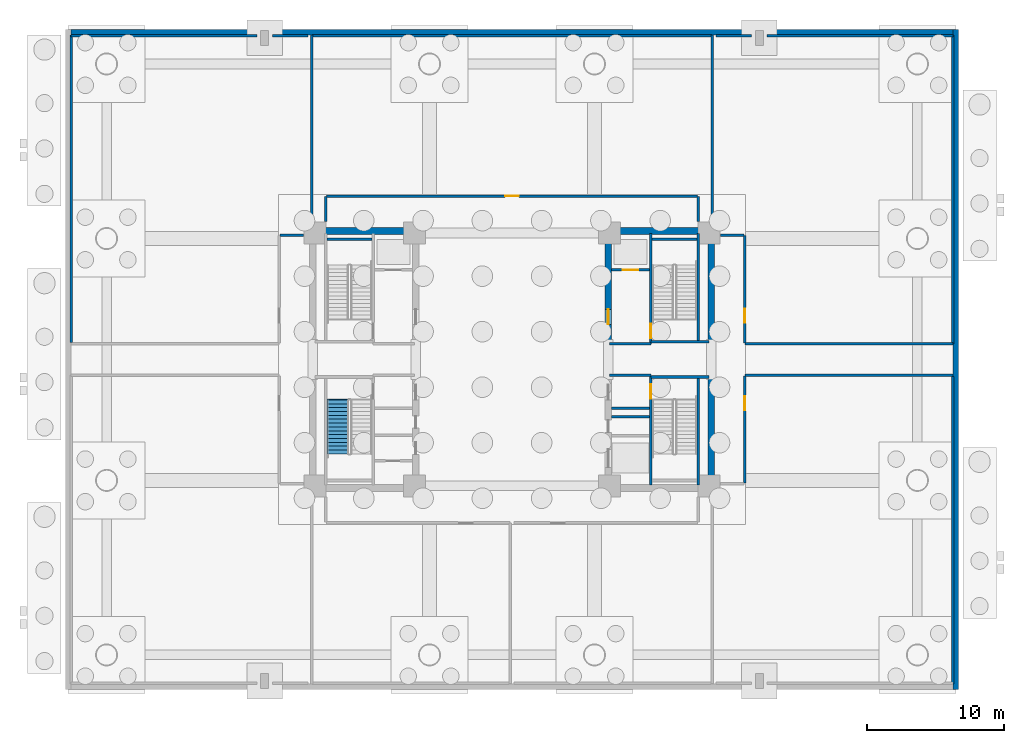
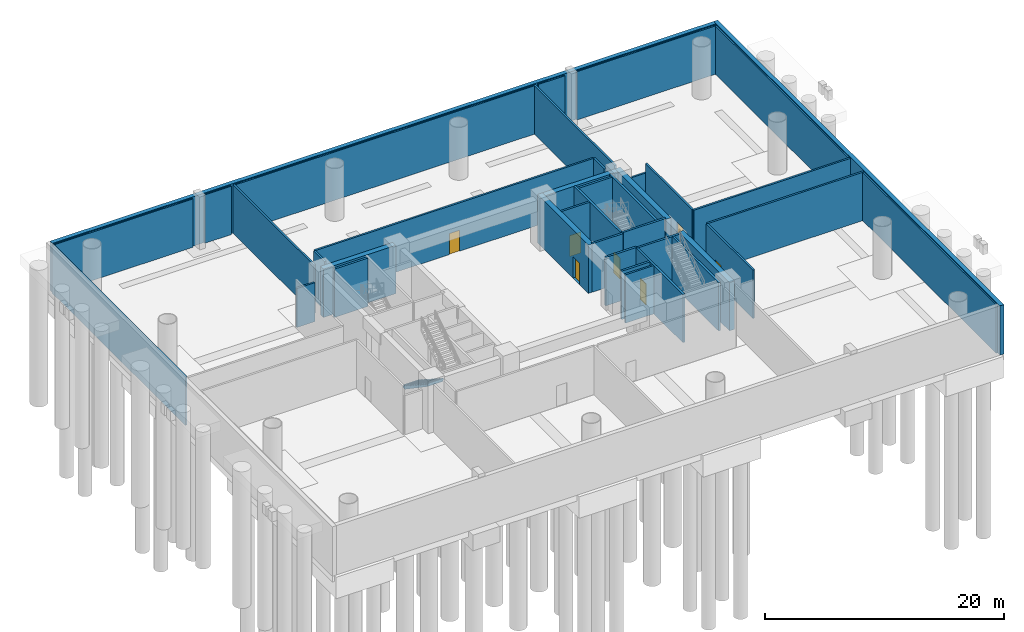
# One storey, part 4 of 7: 39 walls, 7 doors, 1 stair flight, 7 openings, 1 element without a shape of its own.
"""IFC4 building model written with IfcOpenShell, lengths in metres."""

from ifc_helpers import new_model, si_unit, direction, frame, frame_2d, origin, place, context, subcontext, project, spatial, polyline, rectangle, outline, extrude, source, transform, mapped, material, layer, layer_set, type_object, element, fill, aggregate, save


model = new_model("IFC4")

# Units and contexts
model_context = context("Model", 3, precision=1e-05, world=origin(), true_north=direction((0.0, 1.0)))
body_context = subcontext(model_context, "Body", "Model", "MODEL_VIEW")
ifc_project = project(units=[si_unit("LENGTHUNIT", "METRE"), si_unit("AREAUNIT", "SQUARE_METRE"), si_unit("VOLUMEUNIT", "CUBIC_METRE"), si_unit("PLANEANGLEUNIT", "RADIAN"), si_unit("MASSUNIT", "GRAM", prefix="KILO")], contexts=[model_context])

# Site, building, storey
site_placement = place(None, origin())
site = spatial("IfcSite", under=ifc_project, at=site_placement, CompositionType="ELEMENT")
building_placement = place(site_placement, origin())
building = spatial("IfcBuilding", under=site, at=building_placement, Name="Zahravan Cultural Tower", CompositionType="ELEMENT")
storey_placement = place(building_placement, frame((0.0, 0.0, -5.39990234375)))
storey = spatial("IfcBuildingStorey", under=building, at=storey_placement, Name="B1", CompositionType="ELEMENT", Elevation=-5.39990234375)

# Wall, opening, door
ifc_material_1 = material(Name="Concrete C60/75", Category="concrete")
ifc_layer_1 = layer(ifc_material_1, 0.5)
ifc_layer_set_1 = layer_set([ifc_layer_1], Name="Concrete C60/75")
wall_type_1 = type_object("IfcWallType", Name="CW-SHEAR-500-C60", PredefinedType="SHEAR", material=ifc_layer_set_1)
wall_1_placement = place(storey_placement, frame((43.0, 28.050048828125, 0.0), z_axis=(0.0, 0.0, 1.0), x_axis=(0.0, 1.0, 0.0)))
wall_1 = element("IfcWall", 1, at=wall_1_placement, inside=storey, type_object=wall_type_1, Name="B1 Core Shear Wall CW-E-WN-B1", PredefinedType="SHEAR", context=body_context, shape_type="SweptSolid", body=[
    extrude(rectangle(XDim=8.550048828125, YDim=0.5, at=frame_2d((4.27490234375, 0.0))), origin(), (0.0, 0.0, 1.0), 4.949951171875),
])
opening_1_placement = place(wall_1_placement, frame((1.5, 0.0, 0.0)))
opening_1 = element("IfcOpeningElement", 2, at=opening_1_placement, cuts=wall_1, Name="Opening D-B1-06", PredefinedType="OPENING", context=body_context, shape_type="SweptSolid", body=[
    extrude(rectangle(XDim=1.10009765625, YDim=2.199951171875, at=frame_2d((0.550048828125, 1.10009765625))), frame((0.0, 0.260009765625, 0.0), z_axis=(0.0, -1.0, 0.0), x_axis=(1.0, 0.0, 0.0)), (0.0, 0.0, 1.0), 0.52001953125),
])
ifc_material_2 = material(Name="Steel ASTM A572 Grade 50", Category="steel")
door_type_1 = type_object("IfcDoorType", Name="DR-LOBBY-1100", OperationType="NOTDEFINED", PredefinedType="DOOR", material=ifc_material_2)
shared_shape_1 = source(origin(), body_context, "Body", "SweptSolid", [
    extrude(rectangle(XDim=1.10009765625, YDim=2.199951171875, at=frame_2d((0.550048828125, 1.10009765625))), frame((0.0, 0.02490234375, 0.0), z_axis=(0.0, -1.0, 0.0), x_axis=(1.0, 0.0, 0.0)), (0.0, 0.0, 1.0), 0.050048828125),
])
door_1_placement = place(opening_1_placement, origin())
door_1 = element("IfcDoor", 3, at=door_1_placement, inside=storey, type_object=door_type_1, Name="B1 Door D-B1-06", OperationType="SINGLE_SWING_LEFT", OverallHeight=2.199951171875, OverallWidth=1.10009765625, PredefinedType="DOOR", context=body_context, shape_type="MappedRepresentation", body=[
    mapped(shared_shape_1, transform((0.0, 0.0, 0.0), x_axis=(1.0, 0.0, 0.0), y_axis=(0.0, 1.0, 0.0), z_axis=(0.0, 0.0, 1.0), scale=1.0)),
])
fill(opening_1, door_1)

ifc_material_3 = material(Name="Gypsum plasterboard partition")
ifc_layer_2 = layer(ifc_material_3, 0.179931640625)
ifc_layer_set_2 = layer_set([ifc_layer_2], Name="Gypsum plasterboard partition")
wall_type_2 = type_object("IfcWallType", Name="W-COMP-180", PredefinedType="PARTITIONING", material=ifc_layer_set_2)
wall_2_placement = place(storey_placement, frame((49.494140625, 38.889892578125, 0.0), z_axis=(0.0, 0.0, 1.0), x_axis=(-0.999999999836, -1.8087762e-05, 0.0)))
wall_2 = element("IfcWall", 4, at=wall_2_placement, inside=storey, type_object=wall_type_2, Name="B1 Interior Wall 041", PredefinedType="PARTITIONING", context=body_context, shape_type="SweptSolid", body=[
    extrude(rectangle(XDim=26.9951171875, YDim=0.179931640625, at=frame_2d((13.49755859375, 0.0))), origin(), (0.0, 0.0, 1.0), 4.949951171875),
])
opening_2_placement = place(wall_2_placement, frame((12.99755859375, 0.0, 0.0)))
opening_2 = element("IfcOpeningElement", 5, at=opening_2_placement, cuts=wall_2, Name="Opening D-B1-19", PredefinedType="OPENING", context=body_context, shape_type="SweptSolid", body=[
    extrude(rectangle(XDim=1.0, YDim=2.14990234375, at=frame_2d((0.5, 1.074951171875))), frame((0.0, 0.099853515625, 0.0), z_axis=(0.0, -1.0, 0.0), x_axis=(1.0, 0.0, 0.0)), (0.0, 0.0, 1.0), 0.199951171875),
])
door_type_2 = type_object("IfcDoorType", Name="DR-COMP-1000", OperationType="NOTDEFINED", PredefinedType="DOOR", material=ifc_material_2)
shared_shape_2 = source(origin(), body_context, "Body", "SweptSolid", [
    extrude(rectangle(XDim=1.0, YDim=2.14990234375, at=frame_2d((0.5, 1.074951171875))), frame((0.0, 0.02490234375, 0.0), z_axis=(0.0, -1.0, 0.0), x_axis=(1.0, 0.0, 0.0)), (0.0, 0.0, 1.0), 0.050048828125),
])
door_2_placement = place(opening_2_placement, origin())
door_2 = element("IfcDoor", 6, at=door_2_placement, inside=storey, type_object=door_type_2, Name="B1 Door D-B1-19", OperationType="SINGLE_SWING_RIGHT", OverallHeight=2.14990234375, OverallWidth=1.0, PredefinedType="DOOR", context=body_context, shape_type="MappedRepresentation", body=[
    mapped(shared_shape_2, transform((0.0, 0.0, 0.0), x_axis=(1.0, 0.0, 0.0), y_axis=(0.0, 1.0, 0.0), z_axis=(0.0, 0.0, 1.0), scale=1.0)),
])
fill(opening_2, door_2)

wall_3_placement = place(storey_placement, frame((52.93798828125, 17.992431640625, 0.0), z_axis=(0.0, 0.0, 1.0), x_axis=(0.00025015634, 0.999999968711, 0.0)))
wall_3 = element("IfcWall", 7, at=wall_3_placement, inside=storey, type_object=wall_type_2, Name="B1 Interior Wall 061", PredefinedType="PARTITIONING", context=body_context, shape_type="SweptSolid", body=[
    extrude(rectangle(XDim=7.8076171875, YDim=0.179931640625, at=frame_2d((3.90380859375, 0.0))), origin(), (0.0, 0.0, 1.0), 4.949951171875),
])
opening_3_placement = place(wall_3_placement, frame((5.323974609375, 0.0, 0.0)))
opening_3 = element("IfcOpeningElement", 8, at=opening_3_placement, cuts=wall_3, Name="Opening D-B1-15", PredefinedType="OPENING", context=body_context, shape_type="SweptSolid", body=[
    extrude(rectangle(XDim=1.0, YDim=2.14990234375, at=frame_2d((0.5, 1.074951171875))), frame((0.0, 0.099853515625, 0.0), z_axis=(0.0, -1.0, 0.0), x_axis=(1.0, 0.0, 0.0)), (0.0, 0.0, 1.0), 0.199951171875),
])
door_3_placement = place(opening_3_placement, origin())
door_3 = element("IfcDoor", 9, at=door_3_placement, inside=storey, type_object=door_type_2, Name="B1 Door D-B1-15", OperationType="SINGLE_SWING_RIGHT", OverallHeight=2.14990234375, OverallWidth=1.0, PredefinedType="DOOR", context=body_context, shape_type="MappedRepresentation", body=[
    mapped(shared_shape_2, transform((0.0, 0.0, 0.0), x_axis=(1.0, 0.0, 0.0), y_axis=(0.0, 1.0, 0.0), z_axis=(0.0, 0.0, 1.0), scale=1.0)),
])
fill(opening_3, door_3)

wall_4_placement = place(storey_placement, frame((52.93994140625, 28.199951171875, 0.0), z_axis=(0.0, 0.0, 1.0), x_axis=(-0.00025015634, 0.999999968711, 0.0)))
wall_4 = element("IfcWall", 10, at=wall_4_placement, inside=storey, type_object=wall_type_2, Name="B1 Interior Wall 066", PredefinedType="PARTITIONING", context=body_context, shape_type="SweptSolid", body=[
    extrude(rectangle(XDim=7.8076171875, YDim=0.179931640625, at=frame_2d((3.90380859375, 0.0))), origin(), (0.0, 0.0, 1.0), 4.949951171875),
])
opening_4_placement = place(wall_4_placement, frame((1.483642578125, 0.0, 0.0)))
opening_4 = element("IfcOpeningElement", 11, at=opening_4_placement, cuts=wall_4, Name="Opening D-B1-18", PredefinedType="OPENING", context=body_context, shape_type="SweptSolid", body=[
    extrude(rectangle(XDim=1.0, YDim=2.14990234375, at=frame_2d((0.5, 1.074951171875))), frame((0.0, 0.099853515625, 0.0), z_axis=(0.0, -1.0, 0.0), x_axis=(1.0, 0.0, 0.0)), (0.0, 0.0, 1.0), 0.199951171875),
])
door_4_placement = place(opening_4_placement, origin())
door_4 = element("IfcDoor", 12, at=door_4_placement, inside=storey, type_object=door_type_2, Name="B1 Door D-B1-18", OperationType="SINGLE_SWING_LEFT", OverallHeight=2.14990234375, OverallWidth=1.0, PredefinedType="DOOR", context=body_context, shape_type="MappedRepresentation", body=[
    mapped(shared_shape_2, transform((0.0, 0.0, 0.0), x_axis=(1.0, 0.0, 0.0), y_axis=(0.0, 1.0, 0.0), z_axis=(0.0, 0.0, 1.0), scale=1.0)),
])
fill(opening_4, door_4)

ifc_material_4 = material(Name="Concrete C45/55", Category="concrete")
ifc_layer_3 = layer(ifc_material_4, 0.199951171875)
ifc_layer_set_3 = layer_set([ifc_layer_3], Name="Concrete C45/55")
wall_type_3 = type_object("IfcWallType", Name="W-SHAFT-200", PredefinedType="SOLIDWALL", material=ifc_layer_set_3)
wall_5_placement = place(storey_placement, frame((46.10009765625, 17.85009765625, 0.0), z_axis=(0.0, 0.0, 1.0), x_axis=(0.0, 1.0, 0.0)))
wall_5 = element("IfcWall", 13, at=wall_5_placement, inside=storey, type_object=wall_type_3, Name="B1 Interior Wall 007", PredefinedType="SOLIDWALL", context=body_context, shape_type="SweptSolid", body=[
    extrude(rectangle(XDim=8.0, YDim=0.199951171875, at=frame_2d((4.0, 0.0))), origin(), (0.0, 0.0, 1.0), 4.949951171875),
])
opening_5_placement = place(wall_5_placement, frame((6.300048828125, 0.0, 0.0)))
opening_5 = element("IfcOpeningElement", 14, at=opening_5_placement, cuts=wall_5, Name="Opening D-B1-03", PredefinedType="OPENING", context=body_context, shape_type="SweptSolid", body=[
    extrude(rectangle(XDim=1.050048828125, YDim=2.14990234375, at=frame_2d((0.52490234375, 1.074951171875))), frame((0.0, 0.10986328125, 0.0), z_axis=(0.0, -1.0, 0.0), x_axis=(1.0, 0.0, 0.0)), (0.0, 0.0, 1.0), 0.219970703125),
])
door_type_3 = type_object("IfcDoorType", Name="DR-STAIR-1050", OperationType="NOTDEFINED", PredefinedType="DOOR", material=ifc_material_2)
shared_shape_3 = source(origin(), body_context, "Body", "SweptSolid", [
    extrude(rectangle(XDim=1.050048828125, YDim=2.14990234375, at=frame_2d((0.52490234375, 1.074951171875))), frame((0.0, 0.02490234375, 0.0), z_axis=(0.0, -1.0, 0.0), x_axis=(1.0, 0.0, 0.0)), (0.0, 0.0, 1.0), 0.050048828125),
])
door_5_placement = place(opening_5_placement, origin())
door_5 = element("IfcDoor", 15, at=door_5_placement, inside=storey, type_object=door_type_3, Name="B1 Door D-B1-03", OperationType="SINGLE_SWING_RIGHT", OverallHeight=2.14990234375, OverallWidth=1.050048828125, PredefinedType="DOOR", context=body_context, shape_type="MappedRepresentation", body=[
    mapped(shared_shape_3, transform((0.0, 0.0, 0.0), x_axis=(1.0, 0.0, 0.0), y_axis=(0.0, 1.0, 0.0), z_axis=(0.0, 0.0, 1.0), scale=1.0)),
])
fill(opening_5, door_5)

wall_6_placement = place(storey_placement, frame((46.10009765625, 28.14990234375, 0.0), z_axis=(0.0, 0.0, 1.0), x_axis=(0.0, 1.0, 0.0)))
wall_6 = element("IfcWall", 16, at=wall_6_placement, inside=storey, type_object=wall_type_3, Name="B1 Interior Wall 008", PredefinedType="SOLIDWALL", context=body_context, shape_type="SweptSolid", body=[
    extrude(rectangle(XDim=8.0, YDim=0.199951171875, at=frame_2d((4.0, 0.0))), origin(), (0.0, 0.0, 1.0), 4.949951171875),
])
opening_6_placement = place(wall_6_placement, frame((0.39990234375, 0.0, 0.0)))
opening_6 = element("IfcOpeningElement", 17, at=opening_6_placement, cuts=wall_6, Name="Opening D-B1-02", PredefinedType="OPENING", context=body_context, shape_type="SweptSolid", body=[
    extrude(rectangle(XDim=1.050048828125, YDim=2.14990234375, at=frame_2d((0.52490234375, 1.074951171875))), frame((0.0, 0.10986328125, 0.0), z_axis=(0.0, -1.0, 0.0), x_axis=(1.0, 0.0, 0.0)), (0.0, 0.0, 1.0), 0.219970703125),
])
door_6_placement = place(opening_6_placement, origin())
door_6 = element("IfcDoor", 18, at=door_6_placement, inside=storey, type_object=door_type_3, Name="B1 Door D-B1-02", OperationType="SINGLE_SWING_LEFT", OverallHeight=2.14990234375, OverallWidth=1.050048828125, PredefinedType="DOOR", context=body_context, shape_type="MappedRepresentation", body=[
    mapped(shared_shape_3, transform((0.0, 0.0, 0.0), x_axis=(1.0, 0.0, 0.0), y_axis=(0.0, 1.0, 0.0), z_axis=(0.0, 0.0, 1.0), scale=1.0)),
])
fill(opening_6, door_6)

wall_7_placement = place(storey_placement, frame((43.25, 33.52001953125, 0.0), z_axis=(0.0, 0.0, 1.0), x_axis=(1.0, 0.0, 0.0)))
wall_7 = element("IfcWall", 19, at=wall_7_placement, inside=storey, type_object=wall_type_3, Name="B1 Interior Wall 022", PredefinedType="SOLIDWALL", context=body_context, shape_type="SweptSolid", body=[
    extrude(rectangle(XDim=2.75, YDim=0.199951171875, at=frame_2d((1.375, 0.0))), origin(), (0.0, 0.0, 1.0), 4.949951171875),
])
opening_7_placement = place(wall_7_placement, frame((0.820068359375, 0.0, 0.0)))
opening_7 = element("IfcOpeningElement", 20, at=opening_7_placement, cuts=wall_7, Name="Opening LD-B1-02", PredefinedType="OPENING", context=body_context, shape_type="SweptSolid", body=[
    extrude(rectangle(XDim=1.10009765625, YDim=2.14990234375, at=frame_2d((0.550048828125, 1.074951171875))), frame((0.0, 0.10986328125, 0.0), z_axis=(0.0, -1.0, 0.0), x_axis=(1.0, 0.0, 0.0)), (0.0, 0.0, 1.0), 0.219970703125),
])
door_type_4 = type_object("IfcDoorType", Name="DR-LIFT-1100", OperationType="DOUBLE_DOOR_SLIDING", PredefinedType="DOOR", material=ifc_material_2)
shared_shape_4 = source(origin(), body_context, "Body", "SweptSolid", [
    extrude(rectangle(XDim=1.10009765625, YDim=2.14990234375, at=frame_2d((0.550048828125, 1.074951171875))), frame((0.0, 0.02490234375, 0.0), z_axis=(0.0, -1.0, 0.0), x_axis=(1.0, 0.0, 0.0)), (0.0, 0.0, 1.0), 0.050048828125),
])
door_7_placement = place(opening_7_placement, origin())
door_7 = element("IfcDoor", 21, at=door_7_placement, inside=storey, type_object=door_type_4, Name="B1 Door LD-B1-02", OperationType="DOUBLE_DOOR_SLIDING", OverallHeight=2.14990234375, OverallWidth=1.10009765625, PredefinedType="DOOR", context=body_context, shape_type="MappedRepresentation", body=[
    mapped(shared_shape_4, transform((0.0, 0.0, 0.0), x_axis=(1.0, 0.0, 0.0), y_axis=(0.0, 1.0, 0.0), z_axis=(0.0, 0.0, 1.0), scale=1.0)),
])
fill(opening_7, door_7)

# Walls
ifc_material_5 = material(Name="Concrete C50/60", Category="concrete")
ifc_layer_4 = layer(ifc_material_5, 0.39990234375)
ifc_layer_set_4 = layer_set([ifc_layer_4], Name="Concrete C50/60")
wall_type_4 = type_object("IfcWallType", Name="W-RET-400-C50", PredefinedType="SHEAR", material=ifc_layer_set_4)
shared_shape_5 = source(origin(), body_context, "Body", "SweptSolid", [
    extrude(rectangle(XDim=48.0, YDim=0.39990234375, at=frame_2d((24.0, 0.0))), origin(), (0.0, 0.0, 1.0), 5.0498046875),
])
wall_8_placement = place(storey_placement, frame((68.300048828125, 3.0, 0.0), z_axis=(0.0, 0.0, 1.0), x_axis=(0.0, 1.0, 0.0)))
element("IfcWall", 22, at=wall_8_placement, inside=storey, type_object=wall_type_4, Name="B1 Retaining Wall CW-B1-RET-E", PredefinedType="SHEAR", context=body_context, shape_type="MappedRepresentation", body=[
    mapped(shared_shape_5, transform((0.0, 0.0, 0.0), x_axis=(1.0, 0.0, 0.0), y_axis=(0.0, 1.0, 0.0), z_axis=(0.0, 0.0, 1.0), scale=1.0)),
])
shared_shape_6 = source(origin(), body_context, "Body", "SweptSolid", [
    extrude(rectangle(XDim=64.2001953125, YDim=0.39990234375, at=frame_2d((32.10009765625, 0.0))), origin(), (0.0, 0.0, 1.0), 5.0498046875),
])
wall_9_placement = place(storey_placement, frame((3.89990234375, 50.800048828125, 0.0), z_axis=(0.0, 0.0, 1.0), x_axis=(1.0, 0.0, 0.0)))
element("IfcWall", 23, at=wall_9_placement, inside=storey, type_object=wall_type_4, Name="B1 Retaining Wall CW-B1-RET-N", PredefinedType="SHEAR", context=body_context, shape_type="MappedRepresentation", body=[
    mapped(shared_shape_6, transform((0.0, 0.0, 0.0), x_axis=(1.0, 0.0, 0.0), y_axis=(0.0, 1.0, 0.0), z_axis=(0.0, 0.0, 1.0), scale=1.0)),
])
shared_shape_7 = source(origin(), body_context, "Body", "SweptSolid", [
    extrude(rectangle(XDim=8.550048828125, YDim=0.5, at=frame_2d((4.27490234375, 0.0))), origin(), (0.0, 0.0, 1.0), 4.949951171875),
])
for number, where, z_axis, x_axis, name in (
    (24, (50.5, 17.39990234375, 0.0), (0.0, 0.0, 1.0), (0.0, 1.0, 0.0), "B1 Core Shear Wall CW-E-ES-B1"),
    (25, (50.5, 28.050048828125, 0.0), (0.0, 0.0, 1.0), (0.0, 1.0, 0.0), "B1 Core Shear Wall CW-E-EN-B1"),
):
    element("IfcWall", number, at=place(storey_placement, frame(where, z_axis=z_axis, x_axis=x_axis)), inside=storey, type_object=wall_type_1, Name=name, PredefinedType="SHEAR", context=body_context, shape_type="MappedRepresentation", body=[
        mapped(shared_shape_7, transform((0.0, 0.0, 0.0), x_axis=(1.0, 0.0, 0.0), y_axis=(0.0, 1.0, 0.0), z_axis=(0.0, 0.0, 1.0), scale=1.0)),
    ])
shared_shape_8 = source(origin(), body_context, "Body", "SweptSolid", [
    extrude(rectangle(XDim=7.0, YDim=0.5, at=frame_2d((3.5, 0.0))), origin(), (0.0, 0.0, 1.0), 4.949951171875),
])
for number, where, z_axis, x_axis, name in (
    (26, (21.75, 36.35009765625, 0.0), (0.0, 0.0, 1.0), (1.0, 0.0, 0.0), "B1 Core Shear Wall CW-W-N-B1"),
    (27, (43.25, 36.35009765625, 0.0), (0.0, 0.0, 1.0), (1.0, 0.0, 0.0), "B1 Core Shear Wall CW-E-N-B1"),
):
    element("IfcWall", number, at=place(storey_placement, frame(where, z_axis=z_axis, x_axis=x_axis)), inside=storey, type_object=wall_type_1, Name=name, PredefinedType="SHEAR", context=body_context, shape_type="MappedRepresentation", body=[
        mapped(shared_shape_8, transform((0.0, 0.0, 0.0), x_axis=(1.0, 0.0, 0.0), y_axis=(0.0, 1.0, 0.0), z_axis=(0.0, 0.0, 1.0), scale=1.0)),
    ])
shared_shape_9 = source(origin(), body_context, "Body", "SweptSolid", [
    extrude(rectangle(XDim=7.869873046875, YDim=0.199951171875, at=frame_2d((3.93505859375, 0.0))), origin(), (0.0, 0.0, 1.0), 4.949951171875),
])
for number, where, z_axis, x_axis, name in (
    (28, (49.550048828125, 17.85009765625, 0.0), (0.0, 0.0, 1.0), (0.0, 1.0, 0.0), "B1 Interior Wall 003"),
    (29, (49.550048828125, 28.280029296875, 0.0), (0.0, 0.0, 1.0), (0.0, 1.0, 0.0), "B1 Interior Wall 004"),
):
    element("IfcWall", number, at=place(storey_placement, frame(where, z_axis=z_axis, x_axis=x_axis)), inside=storey, type_object=wall_type_3, Name=name, PredefinedType="SOLIDWALL", context=body_context, shape_type="MappedRepresentation", body=[
        mapped(shared_shape_9, transform((0.0, 0.0, 0.0), x_axis=(1.0, 0.0, 0.0), y_axis=(0.0, 1.0, 0.0), z_axis=(0.0, 0.0, 1.0), scale=1.0)),
    ])
shared_shape_10 = source(origin(), body_context, "Body", "SweptSolid", [
    extrude(rectangle(XDim=4.25, YDim=0.199951171875, at=frame_2d((2.125, 0.0))), origin(), (0.0, 0.0, 1.0), 4.949951171875),
])
for number, where, z_axis, x_axis, name in (
    (30, (46.10009765625, 25.715087890625, 0.0), (0.0, 0.0, 1.0), (1.0, 0.0, 0.0), "B1 Interior Wall 014"),
    (31, (46.10009765625, 28.284912109375, 0.0), (0.0, 0.0, 1.0), (1.0, 0.0, 0.0), "B1 Interior Wall 016"),
):
    element("IfcWall", number, at=place(storey_placement, frame(where, z_axis=z_axis, x_axis=x_axis)), inside=storey, type_object=wall_type_3, Name=name, PredefinedType="SOLIDWALL", context=body_context, shape_type="MappedRepresentation", body=[
        mapped(shared_shape_10, transform((0.0, 0.0, 0.0), x_axis=(1.0, 0.0, 0.0), y_axis=(0.0, 1.0, 0.0), z_axis=(0.0, 0.0, 1.0), scale=1.0)),
    ])
shared_shape_11 = source(origin(), body_context, "Body", "SweptSolid", [
    extrude(rectangle(XDim=3.0, YDim=0.199951171875, at=frame_2d((1.5, 0.0))), origin(), (0.0, 0.0, 1.0), 4.949951171875),
])
for number, where, z_axis, x_axis, name in (
    (32, (43.10009765625, 25.85009765625, 0.0), (0.0, 0.0, 1.0), (1.0, 0.0, 0.0), "B1 Interior Wall 013"),
    (33, (43.10009765625, 28.14990234375, 0.0), (0.0, 0.0, 1.0), (1.0, 0.0, 0.0), "B1 Interior Wall 015"),
):
    element("IfcWall", number, at=place(storey_placement, frame(where, z_axis=z_axis, x_axis=x_axis)), inside=storey, type_object=wall_type_3, Name=name, PredefinedType="SOLIDWALL", context=body_context, shape_type="MappedRepresentation", body=[
        mapped(shared_shape_11, transform((0.0, 0.0, 0.0), x_axis=(1.0, 0.0, 0.0), y_axis=(0.0, 1.0, 0.0), z_axis=(0.0, 0.0, 1.0), scale=1.0)),
    ])
shared_shape_12 = source(origin(), body_context, "Body", "SweptSolid", [
    extrude(rectangle(XDim=3.25, YDim=0.199951171875, at=frame_2d((1.625, 0.0))), origin(), (0.0, 0.0, 1.0), 4.949951171875),
])
for number, where, z_axis, x_axis, name in (
    (34, (22.550048828125, 35.75, 0.0), (0.0, 0.0, 1.0), (1.0, 0.0, 0.0), "B1 Interior Wall 017"),
    (35, (46.199951171875, 35.75, 0.0), (0.0, 0.0, 1.0), (1.0, 0.0, 0.0), "B1 Interior Wall 018"),
):
    element("IfcWall", number, at=place(storey_placement, frame(where, z_axis=z_axis, x_axis=x_axis)), inside=storey, type_object=wall_type_3, Name=name, PredefinedType="SOLIDWALL", context=body_context, shape_type="MappedRepresentation", body=[
        mapped(shared_shape_12, transform((0.0, 0.0, 0.0), x_axis=(1.0, 0.0, 0.0), y_axis=(0.0, 1.0, 0.0), z_axis=(0.0, 0.0, 1.0), scale=1.0)),
    ])
shared_shape_13 = source(origin(), body_context, "Body", "SweptSolid", [
    extrude(rectangle(XDim=2.75, YDim=0.199951171875, at=frame_2d((1.375, 0.0))), origin(), (0.0, 0.0, 1.0), 4.949951171875),
])
wall_10_placement = place(storey_placement, frame((43.25, 23.449951171875, 0.0), z_axis=(0.0, 0.0, 1.0), x_axis=(1.0, 0.0, 0.0)))
element("IfcWall", 36, at=wall_10_placement, inside=storey, type_object=wall_type_3, Name="B1 Interior Wall 024", PredefinedType="SOLIDWALL", context=body_context, shape_type="MappedRepresentation", body=[
    mapped(shared_shape_13, transform((0.0, 0.0, 0.0), x_axis=(1.0, 0.0, 0.0), y_axis=(0.0, 1.0, 0.0), z_axis=(0.0, 0.0, 1.0), scale=1.0)),
])
shared_shape_14 = source(origin(), body_context, "Body", "SweptSolid", [
    extrude(rectangle(XDim=2.75, YDim=0.179931640625, at=frame_2d((1.375, 0.0))), origin(), (0.0, 0.0, 1.0), 4.949951171875),
])
wall_11_placement = place(storey_placement, frame((43.25, 22.820068359375, 0.0), z_axis=(0.0, 0.0, 1.0), x_axis=(1.0, 0.0, 0.0)))
element("IfcWall", 37, at=wall_11_placement, inside=storey, type_object=wall_type_2, Name="B1 Interior Wall 028", PredefinedType="PARTITIONING", context=body_context, shape_type="MappedRepresentation", body=[
    mapped(shared_shape_14, transform((0.0, 0.0, 0.0), x_axis=(1.0, 0.0, 0.0), y_axis=(0.0, 1.0, 0.0), z_axis=(0.0, 0.0, 1.0), scale=1.0)),
])
shared_shape_15 = source(origin(), body_context, "Body", "SweptSolid", [
    extrude(rectangle(XDim=1.823974609375, YDim=0.179931640625, at=frame_2d((0.912109375, 0.0))), origin(), (0.0, 0.0, 1.0), 4.949951171875),
])
for number, where, z_axis, x_axis, name in (
    (38, (49.5400390625, 37.02001953125, 0.0), (0.0, 0.0, 1.0), (0.0, 1.0, 0.0), "B1 Interior Wall 040"),
    (39, (22.4599609375, 38.843994140625, 0.0), (0.0, 0.0, 1.0), (0.0, -1.0, 0.0), "B1 Interior Wall 042"),
):
    element("IfcWall", number, at=place(storey_placement, frame(where, z_axis=z_axis, x_axis=x_axis)), inside=storey, type_object=wall_type_2, Name=name, PredefinedType="PARTITIONING", context=body_context, shape_type="MappedRepresentation", body=[
        mapped(shared_shape_15, transform((0.0, 0.0, 0.0), x_axis=(1.0, 0.0, 0.0), y_axis=(0.0, 1.0, 0.0), z_axis=(0.0, 0.0, 1.0), scale=1.0)),
    ])
shared_shape_16 = source(origin(), body_context, "Body", "SweptSolid", [
    extrude(rectangle(XDim=13.580078125, YDim=0.179931640625, at=frame_2d((6.7900390625, 0.0))), origin(), (0.0, 0.0, 1.0), 4.949951171875),
])
for number, where, z_axis, x_axis, name in (
    (40, (50.56005859375, 50.60009765625, 0.0), (0.0, 0.0, 1.0), (0.0, -1.0, 0.0), "B1 Interior Wall 039"),
    (41, (21.43994140625, 37.02001953125, 0.0), (0.0, 0.0, 1.0), (0.0, 1.0, 0.0), "B1 Interior Wall 043"),
):
    element("IfcWall", number, at=place(storey_placement, frame(where, z_axis=z_axis, x_axis=x_axis)), inside=storey, type_object=wall_type_2, Name=name, PredefinedType="PARTITIONING", context=body_context, shape_type="MappedRepresentation", body=[
        mapped(shared_shape_16, transform((0.0, 0.0, 0.0), x_axis=(1.0, 0.0, 0.0), y_axis=(0.0, 1.0, 0.0), z_axis=(0.0, 0.0, 1.0), scale=1.0)),
    ])
shared_shape_17 = source(origin(), body_context, "Body", "SweptSolid", [
    extrude(rectangle(XDim=29.1201171875, YDim=0.179931640625, at=frame_2d((14.56005859375, 0.0))), origin(), (0.0, 0.0, 1.0), 4.949951171875),
])
wall_12_placement = place(storey_placement, frame((21.43994140625, 50.56005859375, 0.0), z_axis=(0.0, 0.0, 1.0), x_axis=(1.0, 0.0, 0.0)))
element("IfcWall", 42, at=wall_12_placement, inside=storey, type_object=wall_type_2, Name="B1 Interior Wall 038", PredefinedType="PARTITIONING", context=body_context, shape_type="MappedRepresentation", body=[
    mapped(shared_shape_17, transform((0.0, 0.0, 0.0), x_axis=(1.0, 0.0, 0.0), y_axis=(0.0, 1.0, 0.0), z_axis=(0.0, 0.0, 1.0), scale=1.0)),
])
shared_shape_18 = source(origin(), body_context, "Body", "SweptSolid", [
    extrude(rectangle(XDim=2.58984375, YDim=0.179931640625, at=frame_2d((1.294921875, 0.0))), origin(), (0.0, 0.0, 1.0), 4.949951171875),
])
for number, where, z_axis, x_axis, name in (
    (43, (18.570068359375, 50.56005859375, 0.0), (0.0, 0.0, 1.0), (1.0, 0.0, 0.0), "B1 Interior Wall 053"),
    (44, (50.840087890625, 50.56005859375, 0.0), (0.0, 0.0, 1.0), (1.0, 0.0, 0.0), "B1 Interior Wall 062"),
):
    element("IfcWall", number, at=place(storey_placement, frame(where, z_axis=z_axis, x_axis=x_axis)), inside=storey, type_object=wall_type_2, Name=name, PredefinedType="PARTITIONING", context=body_context, shape_type="MappedRepresentation", body=[
        mapped(shared_shape_18, transform((0.0, 0.0, 0.0), x_axis=(1.0, 0.0, 0.0), y_axis=(0.0, 1.0, 0.0), z_axis=(0.0, 0.0, 1.0), scale=1.0)),
    ])
shared_shape_19 = source(origin(), body_context, "Body", "SweptSolid", [
    extrude(rectangle(XDim=13.530029296875, YDim=0.179931640625, at=frame_2d((6.76513671875, 0.0))), origin(), (0.0, 0.0, 1.0), 4.949951171875),
])
for number, where, z_axis, x_axis, name in (
    (45, (3.89990234375, 50.56005859375, 0.0), (0.0, 0.0, 1.0), (1.0, 0.0, 0.0), "B1 Interior Wall 052"),
    (46, (54.570068359375, 50.56005859375, 0.0), (0.0, 0.0, 1.0), (1.0, 0.0, 0.0), "B1 Interior Wall 063"),
):
    element("IfcWall", number, at=place(storey_placement, frame(where, z_axis=z_axis, x_axis=x_axis)), inside=storey, type_object=wall_type_2, Name=name, PredefinedType="PARTITIONING", context=body_context, shape_type="MappedRepresentation", body=[
        mapped(shared_shape_19, transform((0.0, 0.0, 0.0), x_axis=(1.0, 0.0, 0.0), y_axis=(0.0, 1.0, 0.0), z_axis=(0.0, 0.0, 1.0), scale=1.0)),
    ])
shared_shape_20 = source(origin(), body_context, "Body", "SweptSolid", [
    extrude(rectangle(XDim=22.460205078125, YDim=0.179931640625, at=frame_2d((11.22998046875, 0.0))), origin(), (0.0, 0.0, 1.0), 4.949951171875),
])
wall_13_placement = place(storey_placement, frame((68.06005859375, 50.60009765625, 0.0), z_axis=(0.0, 0.0, 1.0), x_axis=(0.0, -1.0, 0.0)))
element("IfcWall", 47, at=wall_13_placement, inside=storey, type_object=wall_type_2, Name="B1 Interior Wall 064", PredefinedType="PARTITIONING", context=body_context, shape_type="MappedRepresentation", body=[
    mapped(shared_shape_20, transform((0.0, 0.0, 0.0), x_axis=(1.0, 0.0, 0.0), y_axis=(0.0, 1.0, 0.0), z_axis=(0.0, 0.0, 1.0), scale=1.0)),
])
shared_shape_21 = source(origin(), body_context, "Body", "SweptSolid", [
    extrude(rectangle(XDim=15.16015625, YDim=0.179931640625, at=frame_2d((7.580078125, 0.0))), origin(), (0.0, 0.0, 1.0), 4.949951171875),
])
wall_14_placement = place(storey_placement, frame((68.10009765625, 28.139892578125, 0.0), z_axis=(0.0, 0.0, 1.0), x_axis=(-1.0, 0.0, 0.0)))
element("IfcWall", 48, at=wall_14_placement, inside=storey, type_object=wall_type_2, Name="B1 Interior Wall 065", PredefinedType="PARTITIONING", context=body_context, shape_type="MappedRepresentation", body=[
    mapped(shared_shape_21, transform((0.0, 0.0, 0.0), x_axis=(1.0, 0.0, 0.0), y_axis=(0.0, 1.0, 0.0), z_axis=(0.0, 0.0, 1.0), scale=1.0)),
])
shared_shape_22 = source(origin(), body_context, "Body", "SweptSolid", [
    extrude(rectangle(XDim=15.155029296875, YDim=0.179931640625, at=frame_2d((7.57763671875, 0.0))), origin(), (0.0, 0.0, 1.0), 4.949951171875),
])
wall_15_placement = place(storey_placement, frame((52.93994140625, 25.860107421875, 0.0), z_axis=(0.0, 0.0, 1.0), x_axis=(1.0, 0.0, 0.0)))
element("IfcWall", 49, at=wall_15_placement, inside=storey, type_object=wall_type_2, Name="B1 Interior Wall 056", PredefinedType="PARTITIONING", context=body_context, shape_type="MappedRepresentation", body=[
    mapped(shared_shape_22, transform((0.0, 0.0, 0.0), x_axis=(1.0, 0.0, 0.0), y_axis=(0.0, 1.0, 0.0), z_axis=(0.0, 0.0, 1.0), scale=1.0)),
])
shared_shape_23 = source(origin(), body_context, "Body", "SweptSolid", [
    extrude(rectangle(XDim=22.364990234375, YDim=0.179931640625, at=frame_2d((11.1826171875, 0.0))), origin(), (0.0, 0.0, 1.0), 4.949951171875),
])
for number, where, z_axis, x_axis, name in (
    (50, (3.93994140625, 28.235107421875, 0.0), (0.0, 0.0, 1.0), (0.0, 1.0, 0.0), "B1 Interior Wall 051"),
    (51, (68.06005859375, 25.764892578125, 0.0), (0.0, 0.0, 1.0), (0.0, -1.0, 0.0), "B1 Interior Wall 057"),
):
    element("IfcWall", number, at=place(storey_placement, frame(where, z_axis=z_axis, x_axis=x_axis)), inside=storey, type_object=wall_type_2, Name=name, PredefinedType="PARTITIONING", context=body_context, shape_type="MappedRepresentation", body=[
        mapped(shared_shape_23, transform((0.0, 0.0, 0.0), x_axis=(1.0, 0.0, 0.0), y_axis=(0.0, 1.0, 0.0), z_axis=(0.0, 0.0, 1.0), scale=1.0)),
    ])
shared_shape_24 = source(origin(), body_context, "Body", "SweptSolid", [
    extrude(rectangle(XDim=1.7255859375, YDim=0.179931640625, at=frame_2d((0.86279296875, 0.0))), origin(), (0.0, 0.0, 1.0), 3.991943359375),
])
for number, where, z_axis, x_axis, name in (
    (52, (20.830078125, 36.0400390625, 0.0), (0.0, 0.0, 1.0), (-1.0, 0.0, 0.0), "B1 Interior Wall 054"),
    (53, (52.8955078125, 36.0400390625, 0.0), (0.0, 0.0, 1.0), (-1.0, 0.0, 0.0), "B1 Interior Wall 067"),
):
    element("IfcWall", number, at=place(storey_placement, frame(where, z_axis=z_axis, x_axis=x_axis)), inside=storey, type_object=wall_type_2, Name=name, PredefinedType="PARTITIONING", context=body_context, shape_type="MappedRepresentation", body=[
        mapped(shared_shape_24, transform((0.0, 0.0, 0.0), x_axis=(1.0, 0.0, 0.0), y_axis=(0.0, 1.0, 0.0), z_axis=(0.0, 0.0, 1.0), scale=1.0)),
    ])

# Stair, stair flight
stair_type = type_object("IfcStairType", Name="STR-DL-1550-540", PredefinedType="HALF_TURN_STAIR", material=ifc_material_4)
stair_placement = place(storey_placement, origin())
stair = element("IfcStair", 54, at=stair_placement, inside=storey, type_object=stair_type, Name="B1 West Core South Exit Stair ST-W2", PredefinedType="HALF_TURN_STAIR")
stair_flight_type = type_object("IfcStairFlightType", Name="FLG-DL-1550-540", PredefinedType="STRAIGHT", material=ifc_material_4)
stair_flight_placement = place(storey_placement, frame((23.324951171875, 24.050048828125, 0.0), z_axis=(0.0, 0.0, 1.0), x_axis=(0.0, -1.0, 0.0)))
stair_flight = element("IfcStairFlight", 55, at=stair_flight_placement, type_object=stair_flight_type, Name="ST-W2 flight 1", NumberOfRisers=15, NumberOfTreads=14, PredefinedType="STRAIGHT", RiserHeight=0.18, TreadLength=0.28, context=body_context, shape_type="SweptSolid", body=[
    extrude(outline(polyline([(-0.06494140625, -0.139892578125), (-0.06494140625, 0.0), (0.0, 0.0), (0.0, 0.179931640625), (0.280029296875, 0.179931640625), (0.280029296875, 0.360107421875), (0.56005859375, 0.360107421875), (0.56005859375, 0.5400390625), (0.840087890625, 0.5400390625), (0.840087890625, 0.719970703125), (1.1201171875, 0.719970703125), (1.1201171875, 0.89990234375), (1.39990234375, 0.89990234375), (1.39990234375, 1.080078125), (1.679931640625, 1.080078125), (1.679931640625, 1.260009765625), (1.9599609375, 1.260009765625), (1.9599609375, 1.43994140625), (2.239990234375, 1.43994140625), (2.239990234375, 1.6201171875), (2.52001953125, 1.6201171875), (2.52001953125, 1.800048828125), (2.800048828125, 1.800048828125), (2.800048828125, 1.97998046875), (3.080078125, 1.97998046875), (3.080078125, 2.159912109375), (3.360107421875, 2.159912109375), (3.360107421875, 2.340087890625), (3.639892578125, 2.340087890625), (3.639892578125, 2.52001953125), (3.919921875, 2.52001953125), (3.919921875, 2.699951171875), (3.985107421875, 2.699951171875), (3.985107421875, 2.550048828125), (3.919921875, 2.341796875), (0.277099609375, -0.139892578125), (-0.06494140625, -0.139892578125)])), frame((0.0, 0.77490234375, 0.0), z_axis=(0.0, -1.0, 0.0), x_axis=(1.0, 0.0, 0.0)), (0.0, 0.0, 1.0), 1.550048828125),
])
aggregate(stair, [stair_flight])

save(model, "model.ifc")
